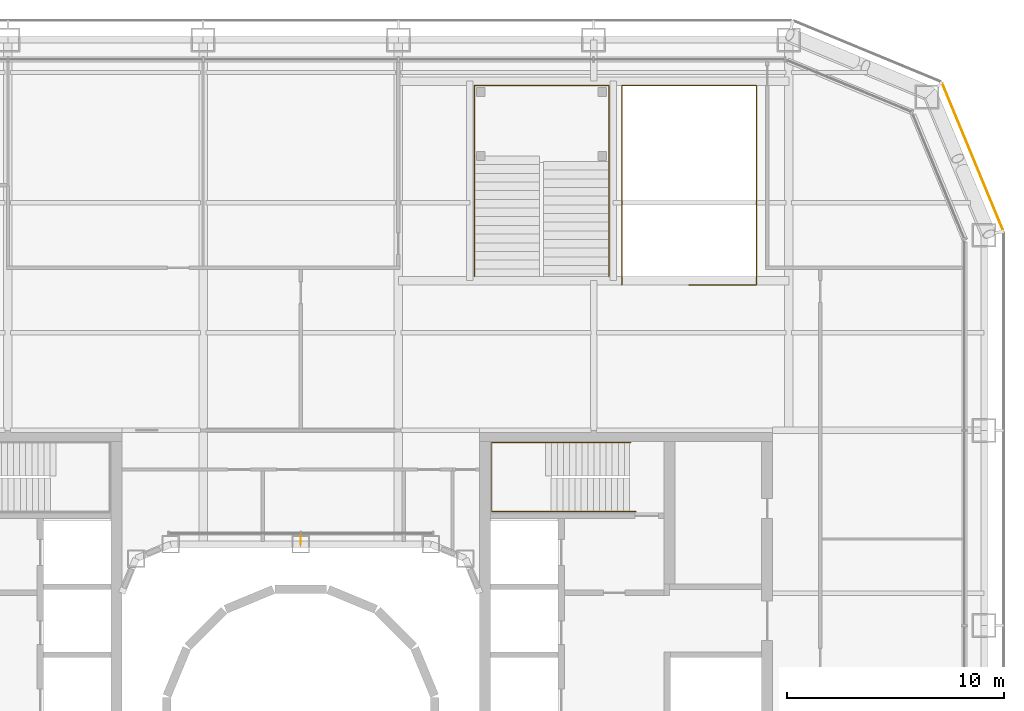
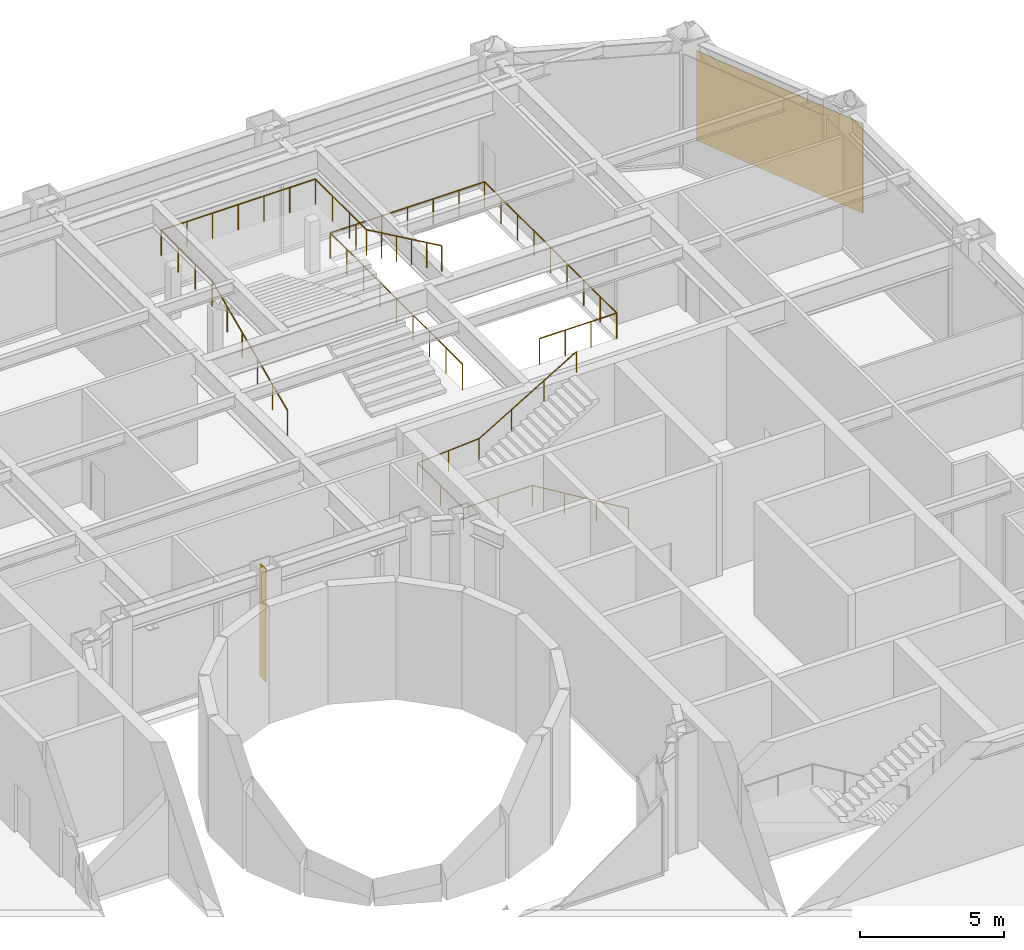
# One storey, part 24 of 25: 3 railings, 1 covering, 1 shading device.
"""IFC4 building model written with IfcOpenShell, lengths in metres."""

from ifc_helpers import new_model, si_unit, direction, frame, origin, origin_2d, place, context, subcontext, project, spatial, rectangle, circle, extrude, material, layer, layer_set, type_object, element, save


model = new_model("IFC4")

# Units and contexts
model_context = context("Model", 3, precision=1e-05, world=origin(), true_north=direction((0.0, 1.0)))
body_context = subcontext(model_context, "Body", "Model", "MODEL_VIEW")
ifc_project = project(units=[si_unit("LENGTHUNIT", "METRE"), si_unit("AREAUNIT", "SQUARE_METRE"), si_unit("VOLUMEUNIT", "CUBIC_METRE"), si_unit("PLANEANGLEUNIT", "RADIAN"), si_unit("MASSUNIT", "GRAM", prefix="KILO")], contexts=[model_context])

# Site, building, storey
site_placement = place(None, origin())
site = spatial("IfcSite", under=ifc_project, at=site_placement, CompositionType="ELEMENT")
building_placement = place(site_placement, origin())
building = spatial("IfcBuilding", under=site, at=building_placement, Name="Siwar Civic Tower", CompositionType="ELEMENT")
storey_placement = place(building_placement, frame((0.0, 0.0, 7.199951171875)))
storey = spatial("IfcBuildingStorey", under=building, at=storey_placement, Name="L01", CompositionType="ELEMENT", Elevation=7.199951171875)

# Railing
ifc_material_1 = material(Name="Stainless steel", Category="steel")
railing_type_1 = type_object("IfcRailingType", Name="CORE-STAIR-HANDRAIL", PredefinedType="HANDRAIL", material=ifc_material_1)
railing_1_placement = place(storey_placement, frame((15.449951171875, 9.758056640625, 0.166748046875)))
element("IfcRailing", 1, at=railing_1_placement, inside=storey, type_object=railing_type_1, Name="Stair handrail ST3", PredefinedType="HANDRAIL", context=body_context, shape_type="SweptSolid", body=[
    extrude(circle(Radius=0.02001953125, at=origin_2d()), frame((0.0, 0.0, 0.8798828125), z_axis=(-0.856384976194, 0.0, 0.516337847296), x_axis=(0.0, -1.0, 0.0)), (0.0, 0.0, 1.0), 4.518798828125),
    extrude(circle(Radius=0.02001953125, at=origin_2d()), frame((-3.869873046875, 0.0, 3.213134765625), z_axis=(-1.0, 0.0, 0.0), x_axis=(0.0, -1.0, 0.0)), (0.0, 0.0, 1.0), 2.77197265625),
    extrude(circle(Radius=0.02001953125, at=origin_2d()), frame((-6.641845703125, 0.0, 3.213134765625), z_axis=(0.0, 1.0, 0.0), x_axis=(-1.0, 0.0, 0.0)), (0.0, 0.0, 1.0), 3.183837890625),
    extrude(circle(Radius=0.02001953125, at=origin_2d()), frame((-6.641845703125, 3.183837890625, 3.213134765625), z_axis=(0.997732526271, 0.0, 0.067303833624), x_axis=(0.0, 1.0, 0.0)), (0.0, 0.0, 1.0), 2.4775390625),
    extrude(circle(Radius=0.02001953125, at=origin_2d()), frame((-4.169921875, 3.183837890625, 3.3798828125), z_axis=(0.859296244711, 0.0, 0.511478214419), x_axis=(0.0, 1.0, 0.0)), (0.0, 0.0, 1.0), 4.561767578125),
    extrude(circle(Radius=0.02001953125, at=origin_2d()), origin(), (0.0, 0.0, 1.0), 0.85986328125),
    extrude(circle(Radius=0.02001953125, at=origin_2d()), frame((-1.2900390625, 0.0, 0.77783203125)), (0.0, 0.0, 1.0), 0.85986328125),
    extrude(circle(Radius=0.02001953125, at=origin_2d()), frame((-2.579833984375, 0.0, 1.555419921875)), (0.0, 0.0, 1.0), 0.85986328125),
    extrude(circle(Radius=0.02001953125, at=origin_2d()), frame((-3.869873046875, 0.0, 2.333251953125)), (0.0, 0.0, 1.0), 0.85986328125),
    extrude(circle(Radius=0.02001953125, at=origin_2d()), frame((-5.255859375, 0.0, 2.333251953125)), (0.0, 0.0, 1.0), 0.85986328125),
    extrude(circle(Radius=0.02001953125, at=origin_2d()), frame((-6.641845703125, 0.0, 2.333251953125)), (0.0, 0.0, 1.0), 0.85986328125),
    extrude(circle(Radius=0.02001953125, at=origin_2d()), frame((-6.641845703125, 1.591796875, 2.333251953125)), (0.0, 0.0, 1.0), 0.85986328125),
    extrude(circle(Radius=0.02001953125, at=origin_2d()), frame((-6.641845703125, 3.183837890625, 2.333251953125)), (0.0, 0.0, 1.0), 0.85986328125),
    extrude(circle(Radius=0.02001953125, at=origin_2d()), frame((-5.40576171875, 3.183837890625, 2.41650390625)), (0.0, 0.0, 1.0), 0.85986328125),
    extrude(circle(Radius=0.02001953125, at=origin_2d()), frame((-4.169921875, 3.183837890625, 2.5)), (0.0, 0.0, 1.0), 0.85986328125),
    extrude(circle(Radius=0.02001953125, at=origin_2d()), frame((-2.86328125, 3.183837890625, 3.27783203125)), (0.0, 0.0, 1.0), 0.85986328125),
    extrude(circle(Radius=0.02001953125, at=origin_2d()), frame((-1.556640625, 3.183837890625, 4.055419921875)), (0.0, 0.0, 1.0), 0.85986328125),
    extrude(circle(Radius=0.02001953125, at=origin_2d()), frame((-0.25, 3.183837890625, 4.833251953125)), (0.0, 0.0, 1.0), 0.85986328125),
])

# Shading device
ifc_material_2 = material(Name="Aluminium 6063-T6", Category="aluminium")
ifc_layer_1 = layer(ifc_material_2, 0.02001953125)
ifc_layer_set_1 = layer_set([ifc_layer_1], Name="Aluminium 6063-T6")
shading_device_type = type_object("IfcShadingDeviceType", Name="ENV-FIN", PredefinedType="JALOUSIE", material=ifc_layer_set_1)
shading_device_placement = place(storey_placement, frame((0.0, 8.445068359375, 0.0), z_axis=(0.0, 0.0, 1.0), x_axis=(-1.0, 0.0, 0.0)))
element("IfcShadingDevice", 2, at=shading_device_placement, inside=storey, type_object=shading_device_type, Name="SUNSHADE fin WN 1", PredefinedType="JALOUSIE", context=body_context, shape_type="SweptSolid", body=[
    extrude(rectangle(XDim=0.02001953125, YDim=0.449951171875, at=origin_2d()), origin(), (0.0, 0.0, 1.0), 4.800048828125),
])

# Covering
ifc_material_3 = material(Name="Perforated aluminium cassette, pale metal", Category="aluminium")
ifc_layer_2 = layer(ifc_material_3, 0.0400390625)
ifc_layer_set_2 = layer_set([ifc_layer_2], Name="Perforated aluminium cassette, pale metal")
covering_type = type_object("IfcCoveringType", Name="ENV-OUTER SKIN OS-1", PredefinedType="CLADDING", material=ifc_layer_set_2)
covering_placement = place(storey_placement, frame((30.976318359375, 26.115966796875, -0.2001953125), z_axis=(0.0, 0.0, 1.0), x_axis=(-0.382683432365, 0.923879532511, 0.0)))
element("IfcCovering", 3, at=covering_placement, inside=storey, type_object=covering_type, Name="OUTER SKIN OS-1 NE1 1", PredefinedType="CLADDING", context=body_context, shape_type="SweptSolid", body=[
    extrude(rectangle(XDim=7.300048828125, YDim=0.0400390625, at=origin_2d()), origin(), (0.0, 0.0, 1.0), 3.800048828125),
])

# Railings
ifc_material_4 = material(Name="Stainless steel", Category="steel")
railing_type_2 = type_object("IfcRailingType", Name="GND-RAIL", PredefinedType="GUARDRAIL", material=ifc_material_4)
railing_2_placement = place(storey_placement, frame((17.89990234375, 20.199951171875, 0.0)))
element("IfcRailing", 4, at=railing_2_placement, inside=storey, type_object=railing_type_2, Name="Opening guard GS2", PredefinedType="GUARDRAIL", context=body_context, shape_type="SweptSolid", body=[
    extrude(circle(Radius=0.02392578125, at=origin_2d()), frame((0.0, 0.0, 1.076171875), z_axis=(1.0, 0.0, 0.0), x_axis=(0.0, 1.0, 0.0)), (0.0, 0.0, 1.0), 3.10009765625),
    extrude(circle(Radius=0.02392578125, at=origin_2d()), frame((3.10009765625, 0.0, 1.076171875), z_axis=(0.0, 1.0, 0.0), x_axis=(-1.0, 0.0, 0.0)), (0.0, 0.0, 1.0), 9.199951171875),
    extrude(circle(Radius=0.02392578125, at=origin_2d()), frame((3.10009765625, 9.199951171875, 1.076171875), z_axis=(-1.0, 0.0, 0.0), x_axis=(0.0, -1.0, 0.0)), (0.0, 0.0, 1.0), 6.199951171875),
    extrude(circle(Radius=0.02392578125, at=origin_2d()), frame((-3.099853515625, 9.199951171875, 1.076171875), z_axis=(0.0, -1.0, 0.0), x_axis=(1.0, 0.0, 0.0)), (0.0, 0.0, 1.0), 9.199951171875),
    extrude(circle(Radius=0.02099609375, at=origin_2d()), origin(), (0.0, 0.0, 1.0), 1.052001953125),
    extrude(circle(Radius=0.02099609375, at=origin_2d()), frame((1.033447265625, 0.0, 0.0)), (0.0, 0.0, 1.0), 1.052001953125),
    extrude(circle(Radius=0.02099609375, at=origin_2d()), frame((2.066650390625, 0.0, 0.0)), (0.0, 0.0, 1.0), 1.052001953125),
    extrude(circle(Radius=0.02099609375, at=origin_2d()), frame((3.10009765625, 0.0, 0.0)), (0.0, 0.0, 1.0), 1.052001953125),
    extrude(circle(Radius=0.02099609375, at=origin_2d()), frame((3.10009765625, 1.14990234375, 0.0)), (0.0, 0.0, 1.0), 1.052001953125),
    extrude(circle(Radius=0.02099609375, at=origin_2d()), frame((3.10009765625, 2.300048828125, 0.0)), (0.0, 0.0, 1.0), 1.052001953125),
    extrude(circle(Radius=0.02099609375, at=origin_2d()), frame((3.10009765625, 3.449951171875, 0.0)), (0.0, 0.0, 1.0), 1.052001953125),
    extrude(circle(Radius=0.02099609375, at=origin_2d()), frame((3.10009765625, 4.60009765625, 0.0)), (0.0, 0.0, 1.0), 1.052001953125),
    extrude(circle(Radius=0.02099609375, at=origin_2d()), frame((3.10009765625, 5.75, 0.0)), (0.0, 0.0, 1.0), 1.052001953125),
    extrude(circle(Radius=0.02099609375, at=origin_2d()), frame((3.10009765625, 6.89990234375, 0.0)), (0.0, 0.0, 1.0), 1.052001953125),
    extrude(circle(Radius=0.02099609375, at=origin_2d()), frame((3.10009765625, 8.050048828125, 0.0)), (0.0, 0.0, 1.0), 1.052001953125),
    extrude(circle(Radius=0.02099609375, at=origin_2d()), frame((3.10009765625, 9.199951171875, 0.0)), (0.0, 0.0, 1.0), 1.052001953125),
    extrude(circle(Radius=0.02099609375, at=origin_2d()), frame((2.06689453125, 9.199951171875, 0.0)), (0.0, 0.0, 1.0), 1.052001953125),
    extrude(circle(Radius=0.02099609375, at=origin_2d()), frame((1.033447265625, 9.199951171875, 0.0)), (0.0, 0.0, 1.0), 1.052001953125),
    extrude(circle(Radius=0.02099609375, at=origin_2d()), frame((0.0, 9.199951171875, 0.0)), (0.0, 0.0, 1.0), 1.052001953125),
    extrude(circle(Radius=0.02099609375, at=origin_2d()), frame((-1.033203125, 9.199951171875, 0.0)), (0.0, 0.0, 1.0), 1.052001953125),
    extrude(circle(Radius=0.02099609375, at=origin_2d()), frame((-2.06640625, 9.199951171875, 0.0)), (0.0, 0.0, 1.0), 1.052001953125),
    extrude(circle(Radius=0.02099609375, at=origin_2d()), frame((-3.099853515625, 9.199951171875, 0.0)), (0.0, 0.0, 1.0), 1.052001953125),
    extrude(circle(Radius=0.02099609375, at=origin_2d()), frame((-3.099853515625, 8.050048828125, 0.0)), (0.0, 0.0, 1.0), 1.052001953125),
    extrude(circle(Radius=0.02099609375, at=origin_2d()), frame((-3.099853515625, 6.89990234375, 0.0)), (0.0, 0.0, 1.0), 1.052001953125),
    extrude(circle(Radius=0.02099609375, at=origin_2d()), frame((-3.099853515625, 5.75, 0.0)), (0.0, 0.0, 1.0), 1.052001953125),
    extrude(circle(Radius=0.02099609375, at=origin_2d()), frame((-3.099853515625, 4.60009765625, 0.0)), (0.0, 0.0, 1.0), 1.052001953125),
    extrude(circle(Radius=0.02099609375, at=origin_2d()), frame((-3.099853515625, 3.449951171875, 0.0)), (0.0, 0.0, 1.0), 1.052001953125),
    extrude(circle(Radius=0.02099609375, at=origin_2d()), frame((-3.099853515625, 2.300048828125, 0.0)), (0.0, 0.0, 1.0), 1.052001953125),
    extrude(circle(Radius=0.02099609375, at=origin_2d()), frame((-3.099853515625, 1.14990234375, 0.0)), (0.0, 0.0, 1.0), 1.052001953125),
    extrude(circle(Radius=0.02099609375, at=origin_2d()), frame((-3.099853515625, 0.0, 0.0)), (0.0, 0.0, 1.0), 1.052001953125),
])
railing_3_placement = place(storey_placement, frame((8.0, 20.60009765625, 0.166748046875)))
element("IfcRailing", 5, at=railing_3_placement, inside=storey, type_object=railing_type_2, Name="Guard GS2", PredefinedType="GUARDRAIL", context=body_context, shape_type="SweptSolid", body=[
    extrude(circle(Radius=0.02392578125, at=origin_2d()), frame((0.0, 0.0, 1.076171875), z_axis=(0.0, 0.913816805682, 0.406126637458), x_axis=(-1.0, 0.0, 0.0)), (0.0, 0.0, 1.0), 5.7451171875),
    extrude(circle(Radius=0.02392578125, at=origin_2d()), frame((0.0, 5.25, 3.4091796875), z_axis=(0.0, 1.0, 0.0), x_axis=(-1.0, 0.0, 0.0)), (0.0, 0.0, 1.0), 3.5498046875),
    extrude(circle(Radius=0.02392578125, at=origin_2d()), frame((0.0, 8.7998046875, 3.4091796875), z_axis=(1.0, 0.0, 0.0), x_axis=(0.0, 1.0, 0.0)), (0.0, 0.0, 1.0), 6.199951171875),
    extrude(circle(Radius=0.02392578125, at=origin_2d()), frame((6.199951171875, 8.7998046875, 3.4091796875), z_axis=(0.0, -1.0, 0.0), x_axis=(1.0, 0.0, 0.0)), (0.0, 0.0, 1.0), 3.5498046875),
    extrude(circle(Radius=0.02392578125, at=origin_2d()), frame((6.199951171875, 5.25, 3.4091796875), z_axis=(0.0, -0.902860518824, 0.429933580392), x_axis=(1.0, 0.0, 0.0)), (0.0, 0.0, 1.0), 5.81494140625),
    extrude(circle(Radius=0.02099609375, at=origin_2d()), origin(), (0.0, 0.0, 1.0), 1.052001953125),
    extrude(circle(Radius=0.02099609375, at=origin_2d()), frame((0.0, 1.050048828125, 0.466552734375)), (0.0, 0.0, 1.0), 1.052001953125),
    extrude(circle(Radius=0.02099609375, at=origin_2d()), frame((0.0, 2.10009765625, 0.933349609375)), (0.0, 0.0, 1.0), 1.052001953125),
    extrude(circle(Radius=0.02099609375, at=origin_2d()), frame((0.0, 3.14990234375, 1.39990234375)), (0.0, 0.0, 1.0), 1.052001953125),
    extrude(circle(Radius=0.02099609375, at=origin_2d()), frame((0.0, 4.199951171875, 1.86669921875)), (0.0, 0.0, 1.0), 1.052001953125),
    extrude(circle(Radius=0.02099609375, at=origin_2d()), frame((0.0, 5.25, 2.333251953125)), (0.0, 0.0, 1.0), 1.052001953125),
    extrude(circle(Radius=0.02099609375, at=origin_2d()), frame((0.0, 6.433349609375, 2.333251953125)), (0.0, 0.0, 1.0), 1.052001953125),
    extrude(circle(Radius=0.02099609375, at=origin_2d()), frame((0.0, 7.616455078125, 2.333251953125)), (0.0, 0.0, 1.0), 1.052001953125),
    extrude(circle(Radius=0.02099609375, at=origin_2d()), frame((0.0, 8.7998046875, 2.333251953125)), (0.0, 0.0, 1.0), 1.052001953125),
    extrude(circle(Radius=0.02099609375, at=origin_2d()), frame((1.033203125, 8.7998046875, 2.333251953125)), (0.0, 0.0, 1.0), 1.052001953125),
    extrude(circle(Radius=0.02099609375, at=origin_2d()), frame((2.066650390625, 8.7998046875, 2.333251953125)), (0.0, 0.0, 1.0), 1.052001953125),
    extrude(circle(Radius=0.02099609375, at=origin_2d()), frame((3.10009765625, 8.7998046875, 2.333251953125)), (0.0, 0.0, 1.0), 1.052001953125),
    extrude(circle(Radius=0.02099609375, at=origin_2d()), frame((4.13330078125, 8.7998046875, 2.333251953125)), (0.0, 0.0, 1.0), 1.052001953125),
    extrude(circle(Radius=0.02099609375, at=origin_2d()), frame((5.16650390625, 8.7998046875, 2.333251953125)), (0.0, 0.0, 1.0), 1.052001953125),
    extrude(circle(Radius=0.02099609375, at=origin_2d()), frame((6.199951171875, 8.7998046875, 2.333251953125)), (0.0, 0.0, 1.0), 1.052001953125),
    extrude(circle(Radius=0.02099609375, at=origin_2d()), frame((6.199951171875, 7.616455078125, 2.333251953125)), (0.0, 0.0, 1.0), 1.052001953125),
    extrude(circle(Radius=0.02099609375, at=origin_2d()), frame((6.199951171875, 6.433349609375, 2.333251953125)), (0.0, 0.0, 1.0), 1.052001953125),
    extrude(circle(Radius=0.02099609375, at=origin_2d()), frame((6.199951171875, 5.25, 2.333251953125)), (0.0, 0.0, 1.0), 1.052001953125),
    extrude(circle(Radius=0.02099609375, at=origin_2d()), frame((6.199951171875, 4.199951171875, 2.833251953125)), (0.0, 0.0, 1.0), 1.052001953125),
    extrude(circle(Radius=0.02099609375, at=origin_2d()), frame((6.199951171875, 3.14990234375, 3.333251953125)), (0.0, 0.0, 1.0), 1.052001953125),
    extrude(circle(Radius=0.02099609375, at=origin_2d()), frame((6.199951171875, 2.10009765625, 3.833251953125)), (0.0, 0.0, 1.0), 1.052001953125),
    extrude(circle(Radius=0.02099609375, at=origin_2d()), frame((6.199951171875, 1.050048828125, 4.333251953125)), (0.0, 0.0, 1.0), 1.052001953125),
    extrude(circle(Radius=0.02099609375, at=origin_2d()), frame((6.199951171875, 0.0, 4.833251953125)), (0.0, 0.0, 1.0), 1.052001953125),
])

save(model, "model.ifc")
